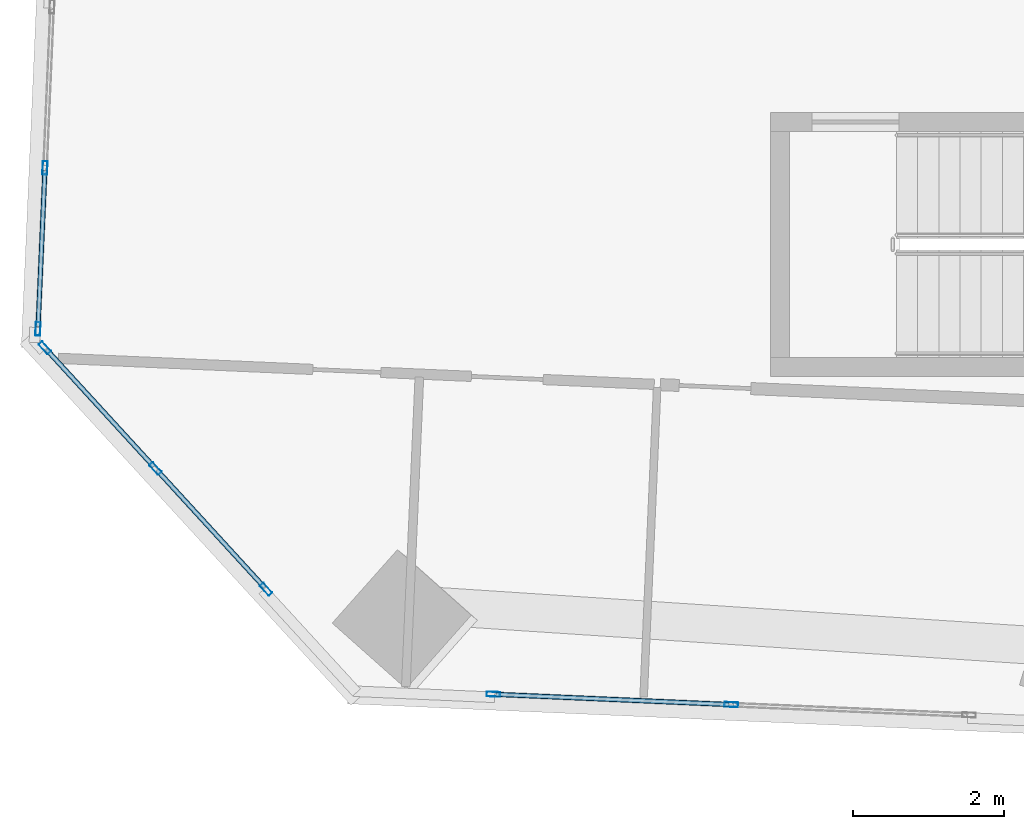
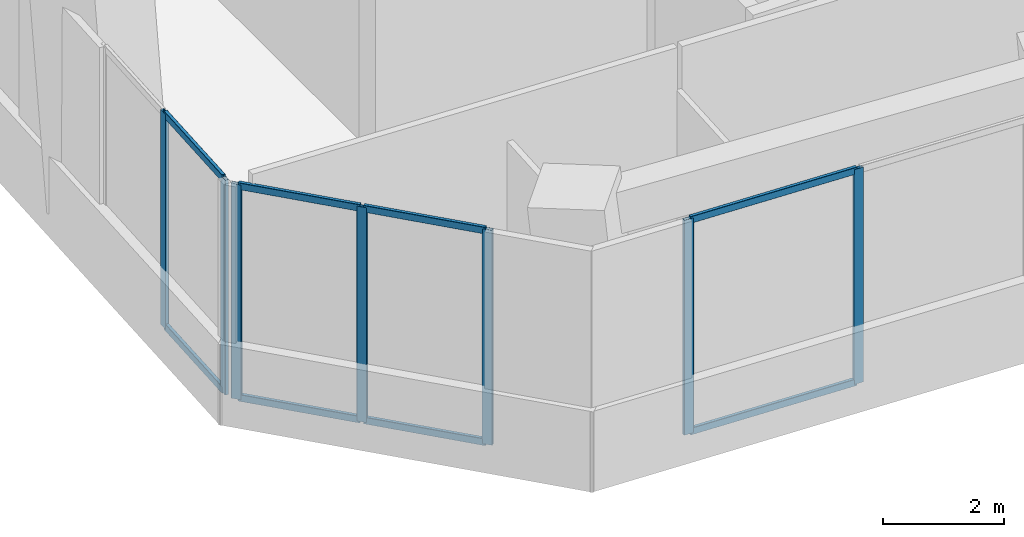
# One storey, part 2 of 27: 15 members, 3 elements without a shape of their own.
"""IFC4 building model written with IfcOpenShell, lengths in metres."""

import ifcopenshell
import ifcopenshell.guid

model = None  # the IFC model being written
_history = None  # IfcOwnerHistory: only IFC2X3 demands one
_inside = {}  # id of a spatial element -> (the spatial element, [elements in it])
_under = {}  # id of a project, library or spatial element -> (it, [spatial elements below it])
_declared = {}  # id of a project -> (the project, [libraries it declares])
_typed = {}  # id of a type object -> (the type object, [elements of that type])
_made_of = {}  # id of a material, layer set ... -> (it, [elements and type objects made of it])


def new_model(schema):
    """Start an empty IFC model of exactly this schema.

    Asked for "IFC4X3", IfcOpenShell would pick the latest addendum, in which some entities
    have other attributes; the version numbers below select the first issue.
    IFC2X3 requires an IfcOwnerHistory on every rooted entity: one is made here for all.
    """
    global model, _history
    if schema == "IFC4X3":
        model = ifcopenshell.file(schema_version=(4, 3, 0, 0))
    else:
        model = ifcopenshell.file(schema=schema)
    _inside.clear()
    _under.clear()
    _declared.clear()
    _typed.clear()
    _made_of.clear()
    _history = None
    if model.schema == "IFC2X3":
        org = make("IfcOrganization", Name="unknown")
        user = make(
            "IfcPersonAndOrganization",
            ThePerson=make("IfcPerson", FamilyName="unknown"),
            TheOrganization=org,
        )
        app = make(
            "IfcApplication",
            ApplicationDeveloper=org,
            Version="unknown",
            ApplicationFullName="unknown",
            ApplicationIdentifier="unknown",
        )
        _history = make(
            "IfcOwnerHistory",
            OwningUser=user,
            OwningApplication=app,
            ChangeAction="ADDED",
            CreationDate=0,
        )
    return model


def make(cls, **values):
    """One entity of the class cls with the attributes given. An attribute that is None is left unset."""
    return model.create_entity(
        cls, **{name: value for name, value in values.items() if value is not None}
    )


def rooted(cls, **values):
    """An entity with a GlobalId (a new one), such as an element, a storey or a relation."""
    return make(cls, GlobalId=ifcopenshell.guid.new(), OwnerHistory=_history, **values)


def si_unit(unit_type, name, prefix=None):
    """IfcSIUnit, for example si_unit("LENGTHUNIT", "METRE", prefix="MILLI")."""
    return make("IfcSIUnit", UnitType=unit_type, Prefix=prefix, Name=name)


def assignment(units):
    """IfcUnitAssignment: the units of a project."""
    return None if units is None else make("IfcUnitAssignment", Units=units)


def point(xyz):
    """IfcCartesianPoint."""
    return None if xyz is None else make("IfcCartesianPoint", Coordinates=xyz)


def direction(xyz):
    """IfcDirection."""
    return None if xyz is None else make("IfcDirection", DirectionRatios=xyz)


def frame(location, z_axis=None, x_axis=None):
    """IfcAxis2Placement3D, a coordinate frame: its origin and axes. An axis left out is left unset."""
    return make(
        "IfcAxis2Placement3D",
        Location=point(location),
        Axis=direction(z_axis),
        RefDirection=direction(x_axis),
    )


def frame_2d(location, x_axis=None):
    """IfcAxis2Placement2D, a coordinate frame in the plane: its origin and x axis."""
    return make(
        "IfcAxis2Placement2D", Location=point(location), RefDirection=direction(x_axis)
    )


def origin():
    """The frame at (0, 0, 0) with its axes left unset."""
    return frame((0.0, 0.0, 0.0))


def origin_2d():
    """The frame at (0, 0) in the plane with its x axis left unset."""
    return frame_2d((0.0, 0.0))


def place(relative_to, where):
    """IfcLocalPlacement: puts the frame where relative to a parent placement (None: the world)."""
    return make(
        "IfcLocalPlacement", PlacementRelTo=relative_to, RelativePlacement=where
    )


def context(
    kind, dimensions, precision=None, world=None, true_north=None, identifier=None
):
    """IfcGeometricRepresentationContext, for example the 3D "Model" context."""
    return make(
        "IfcGeometricRepresentationContext",
        ContextIdentifier=identifier,
        ContextType=kind,
        CoordinateSpaceDimension=dimensions,
        Precision=precision,
        WorldCoordinateSystem=world,
        TrueNorth=true_north,
    )


def subcontext(parent, identifier, kind, view, scale=None):
    """IfcGeometricRepresentationSubContext, for example "Body" below "Model"."""
    return make(
        "IfcGeometricRepresentationSubContext",
        ContextIdentifier=identifier,
        ContextType=kind,
        ParentContext=parent,
        TargetScale=scale,
        TargetView=view,
    )


def project(units=None, contexts=None):
    """IfcProject with its units and contexts."""
    return rooted(
        "IfcProject",
        Name="project",
        RepresentationContexts=contexts,
        UnitsInContext=assignment(units),
    )


def spatial(cls, under=None, at=None, **own):
    """A site, building, storey or space (cls), placed at a placement, below another one or the project."""
    s = rooted(cls, ObjectPlacement=at, **own)
    if under is not None:
        _under.setdefault(under.id(), (under, []))[1].append(s)
    return s


def profile(cls, at=None, kind="AREA", **sizes):
    """A parametric profile (cls). Its sizes go by their IFC names, for example OverallWidth=200.0."""
    return make(cls, ProfileType=kind, Position=at, **sizes)


def hollow_rectangle(**sizes):
    """IfcRectangleHollowProfileDef."""
    return profile("IfcRectangleHollowProfileDef", **sizes)


def extrude(swept, where, along, depth):
    """IfcExtrudedAreaSolid: the profile swept, set in the frame where, extruded along a direction by depth."""
    return make(
        "IfcExtrudedAreaSolid",
        SweptArea=swept,
        Position=where,
        ExtrudedDirection=direction(along),
        Depth=depth,
    )


def shape(context_of_items, identifier, shape_type, items):
    """IfcShapeRepresentation: the items that make up one representation, for example the "Body"."""
    return make(
        "IfcShapeRepresentation",
        ContextOfItems=context_of_items,
        RepresentationIdentifier=identifier,
        RepresentationType=shape_type,
        Items=items,
    )


def source(mapping_origin, context_of_items, identifier, shape_type, items):
    """IfcRepresentationMap: a shape defined once, which mapped items show again and again."""
    return make(
        "IfcRepresentationMap",
        MappingOrigin=mapping_origin,
        MappedRepresentation=shape(context_of_items, identifier, shape_type, items),
    )


def transform(
    local_origin,
    x_axis=None,
    y_axis=None,
    z_axis=None,
    scale=None,
    scale2=None,
    scale3=None,
    uniform=True,
):
    """IfcCartesianTransformationOperator3D, or its non-uniform kind. x_axis, y_axis, z_axis: its Axis1, 2, 3."""
    if uniform:
        return make(
            "IfcCartesianTransformationOperator3D",
            Axis1=direction(x_axis),
            Axis2=direction(y_axis),
            LocalOrigin=point(local_origin),
            Scale=scale,
            Axis3=direction(z_axis),
        )
    return make(
        "IfcCartesianTransformationOperator3DnonUniform",
        Axis1=direction(x_axis),
        Axis2=direction(y_axis),
        LocalOrigin=point(local_origin),
        Scale=scale,
        Axis3=direction(z_axis),
        Scale2=scale2,
        Scale3=scale3,
    )


def mapped(mapping_source, mapping_target):
    """IfcMappedItem: shows the shape of a source again, moved by a transform."""
    return make(
        "IfcMappedItem", MappingSource=mapping_source, MappingTarget=mapping_target
    )


def material(Name=None, Category=None):
    """IfcMaterial."""
    return make("IfcMaterial", Name=Name, Category=Category)


def material_profile(
    of_material, cross_section, Name=None, Category=None, Priority=None
):
    """IfcMaterialProfile: a cross section and its material."""
    return make(
        "IfcMaterialProfile",
        Name=Name,
        Material=of_material,
        Profile=cross_section,
        Priority=Priority,
        Category=Category,
    )


def profile_set(profiles, Name=None, composite=None):
    """IfcMaterialProfileSet."""
    return make(
        "IfcMaterialProfileSet",
        Name=Name,
        MaterialProfiles=profiles,
        CompositeProfile=composite,
    )


def made_of(thing, what):
    """Note that an element or type object is made of a material, layer set ...; save() writes the relation."""
    if what is not None:
        _made_of.setdefault(what.id(), (what, []))[1].append(thing)
    return thing


def type_object(cls, material=None, **own):
    """A type object (cls), such as IfcWallType, which elements share."""
    return made_of(rooted(cls, **own), material)


def element(
    cls,
    number,
    at=None,
    inside=None,
    cuts=None,
    type_object=None,
    material=None,
    context=None,
    identifier="Body",
    shape_type=None,
    held_by="IfcProductDefinitionShape",
    body=None,
    shapes=None,
    **own,
):
    """One element of the class cls, such as IfcWall. Its Tag is "e" and its number.

    at: its placement. inside: the storey or other place that contains it. cuts: it is an
    opening in that element (IfcRelVoidsElement). A single representation is given by context,
    identifier, shape_type and body (its items); several are given by shapes. held_by: the class
    of the entity that holds the representations. save() writes the other relations.
    """
    e = rooted(cls, Tag="e%d" % number, ObjectPlacement=at, **own)
    if body is not None:
        shapes = [shape(context, identifier, shape_type, body)]
    if shapes is not None:
        e.Representation = make(held_by, Representations=shapes)
    if inside is not None:
        _inside.setdefault(inside.id(), (inside, []))[1].append(e)
    if cuts is not None:
        rooted(
            "IfcRelVoidsElement", RelatingBuildingElement=cuts, RelatedOpeningElement=e
        )
    if type_object is not None:
        _typed.setdefault(type_object.id(), (type_object, []))[1].append(e)
    return made_of(e, material)


def aggregate(whole, parts):
    """IfcRelAggregates: a whole, such as a stair, and the parts it consists of."""
    return rooted("IfcRelAggregates", RelatingObject=whole, RelatedObjects=parts)


def save(model, path):
    """Write the relations noted so far, then the file.

    IfcRelAggregates (storeys below a building ...), IfcRelContainedInSpatialStructure (elements
    in a storey), IfcRelDefinesByType, IfcRelAssociatesMaterial and IfcRelDeclares: one each for
    every whole, place, type object, material and project.
    """
    for whole, parts in _under.values():
        aggregate(whole, parts)
    for where, things in _inside.values():
        rooted(
            "IfcRelContainedInSpatialStructure",
            RelatedElements=things,
            RelatingStructure=where,
        )
    for kind, things in _typed.values():
        rooted("IfcRelDefinesByType", RelatedObjects=things, RelatingType=kind)
    for what, things in _made_of.values():
        rooted("IfcRelAssociatesMaterial", RelatedObjects=things, RelatingMaterial=what)
    for by, libraries in _declared.values():
        rooted("IfcRelDeclares", RelatingContext=by, RelatedDefinitions=libraries)
    model.write(path)


model = new_model("IFC4")

# Units and contexts
model_context = context("Model", 3, precision=1e-05, world=origin(), true_north=direction((0.0, 1.0)))
body_context = subcontext(model_context, "Body", "Model", "MODEL_VIEW")
ifc_project = project(units=[si_unit("LENGTHUNIT", "METRE"), si_unit("AREAUNIT", "SQUARE_METRE"), si_unit("VOLUMEUNIT", "CUBIC_METRE"), si_unit("PLANEANGLEUNIT", "RADIAN"), si_unit("MASSUNIT", "GRAM", prefix="KILO")], contexts=[model_context])

# Site, building, storey
site_placement = place(None, origin())
site = spatial("IfcSite", under=ifc_project, at=site_placement, CompositionType="ELEMENT")
building_placement = place(site_placement, origin())
building = spatial("IfcBuilding", under=site, at=building_placement, Name="Torre Montelarca", CompositionType="ELEMENT")
storey_placement = place(building_placement, frame((0.0, 0.0, 37.60009765625)))
storey = spatial("IfcBuildingStorey", under=building, at=storey_placement, Name="L08", CompositionType="ELEMENT", Elevation=37.60009765625)

# Curtain wall, members
ifc_material_1 = material(Name="Insulated low-E laminated glass", Category="glass")
curtain_wall_type = type_object("IfcCurtainWallType", Name="CW-SYS-Z1", PredefinedType="USERDEFINED", material=ifc_material_1)
curtain_wall_1_placement = place(storey_placement, origin())
curtain_wall_1 = element("IfcCurtainWall", 1, at=curtain_wall_1_placement, inside=storey, type_object=curtain_wall_type, Name="L08 Curtain Wall Run CW-T3-L08-E10-B3", ObjectType="UNITISED GLAZING", PredefinedType="USERDEFINED")
ifc_material_2 = material(Name="Anodised aluminium AA 6063-T6", Category="aluminium")
ifc_material_profile_1 = material_profile(ifc_material_2, hollow_rectangle(XDim=0.06494140625, YDim=0.139892578125, WallThickness=0.00390625, InnerFilletRadius=0.00390625, OuterFilletRadius=0.008056640625, at=origin_2d()), Name="ALU65X140X4", Category="aluminium")
ifc_profile_set_1 = profile_set([ifc_material_profile_1], Name="Anodised aluminium AA 6063-T6")
member_type_1 = type_object("IfcMemberType", Name="CWT-ALU140", PredefinedType="USERDEFINED", material=ifc_profile_set_1)
shared_shape_1 = source(origin(), body_context, "Body", "SweptSolid", [
    extrude(hollow_rectangle(XDim=0.06494140625, YDim=0.139892578125, WallThickness=0.00390625, InnerFilletRadius=0.00390625, OuterFilletRadius=0.008056640625, at=origin_2d()), origin(), (0.0, 0.0, 1.0), 2.067138671875),
])
member_1_placement = place(storey_placement, frame((3.449462890625, 21.375244140625, 0.032470703125), z_axis=(-0.043698612245, -0.999044759402, 0.0), x_axis=(0.999044759402, -0.043698612245, 0.0)))
member_1 = element("IfcMember", 2, at=member_1_placement, type_object=member_type_1, Name="CW transom 2.1", ObjectType="TRANSOM", PredefinedType="USERDEFINED", context=body_context, shape_type="MappedRepresentation", body=[
    mapped(shared_shape_1, transform((0.0, 0.0, 0.0), scale=1.0)),
])
member_2_placement = place(storey_placement, frame((3.449462890625, 21.375244140625, 4.287353515625), z_axis=(-0.043698612245, -0.999044759402, 0.0), x_axis=(0.999044759402, -0.043698612245, 0.0)))
member_2 = element("IfcMember", 3, at=member_2_placement, type_object=member_type_1, Name="CW transom 2.2", ObjectType="TRANSOM", PredefinedType="USERDEFINED", context=body_context, shape_type="MappedRepresentation", body=[
    mapped(shared_shape_1, transform((0.0, 0.0, 0.0), scale=1.0)),
])

curtain_wall_2_placement = place(storey_placement, origin())
curtain_wall_2 = element("IfcCurtainWall", 4, at=curtain_wall_2_placement, inside=storey, type_object=curtain_wall_type, Name="L08 Curtain Wall Run CW-T3-L08-E01-B1", ObjectType="UNITISED GLAZING", PredefinedType="USERDEFINED")
ifc_material_profile_2 = material_profile(ifc_material_2, hollow_rectangle(XDim=0.06494140625, YDim=0.179931640625, WallThickness=0.00390625, InnerFilletRadius=0.00390625, OuterFilletRadius=0.008056640625, at=origin_2d()), Name="ALU65X180X4", Category="aluminium")
ifc_profile_set_2 = profile_set([ifc_material_profile_2], Name="Anodised aluminium AA 6063-T6")
member_type_2 = type_object("IfcMemberType", Name="CWM-ALU180", PredefinedType="MULLION", material=ifc_profile_set_2)
shared_shape_2 = source(origin(), body_context, "Body", "SweptSolid", [
    extrude(hollow_rectangle(XDim=0.06494140625, YDim=0.179931640625, WallThickness=0.00390625, InnerFilletRadius=0.00390625, OuterFilletRadius=0.008056640625, at=origin_2d()), origin(), (0.0, 0.0, 1.0), 4.31982421875),
])
member_3_placement = place(storey_placement, frame((9.385009765625, 14.44189453125, 0.0), z_axis=(0.0, 0.0, 1.0), x_axis=(0.043624697584, 0.999047989719, 0.0)))
member_3 = element("IfcMember", 5, at=member_3_placement, type_object=member_type_2, Name="CW mullion 1", PredefinedType="MULLION", context=body_context, shape_type="MappedRepresentation", body=[
    mapped(shared_shape_2, transform((0.0, 0.0, 0.0), scale=1.0)),
])
member_4_placement = place(storey_placement, frame((12.532470703125, 14.304443359375, 0.0), z_axis=(0.0, 0.0, 1.0), x_axis=(0.043624697584, 0.999047989719, 0.0)))
member_4 = element("IfcMember", 6, at=member_4_placement, type_object=member_type_2, Name="CW mullion 2", PredefinedType="MULLION", context=body_context, shape_type="MappedRepresentation", body=[
    mapped(shared_shape_2, transform((0.0, 0.0, 0.0), scale=1.0)),
])

# Member
member_5_placement = place(storey_placement, frame((3.45068359375, 21.40771484375, 0.0), z_axis=(0.0, 0.0, 1.0), x_axis=(0.999048603489, -0.043610639363, 0.0)))
member_5 = element("IfcMember", 7, at=member_5_placement, type_object=member_type_2, Name="CW mullion 2", PredefinedType="MULLION", context=body_context, shape_type="MappedRepresentation", body=[
    mapped(shared_shape_2, transform((0.0, 0.0, 0.0), scale=1.0)),
])

member_6_placement = place(storey_placement, frame((3.35791015625, 19.277587890625, 0.0), z_axis=(0.0, 0.0, 1.0), x_axis=(0.999048603489, -0.043610639363, 0.0)))
member_6 = element("IfcMember", 8, at=member_6_placement, type_object=member_type_2, Name="CW mullion 3", PredefinedType="MULLION", context=body_context, shape_type="MappedRepresentation", body=[
    mapped(shared_shape_2, transform((0.0, 0.0, 0.0), scale=1.0)),
])

aggregate(curtain_wall_1, [member_5, member_6, member_1, member_2])

# Curtain wall, members
curtain_wall_3_placement = place(storey_placement, origin())
curtain_wall_3 = element("IfcCurtainWall", 9, at=curtain_wall_3_placement, inside=storey, type_object=curtain_wall_type, Name="L08 Curtain Wall Run CW-T3-L08-E11-B1", ObjectType="UNITISED GLAZING", PredefinedType="USERDEFINED")
member_7_placement = place(storey_placement, frame((3.44921875, 19.02685546875, 0.0), z_axis=(0.0, 0.0, 1.0), x_axis=(0.737294785527, 0.675571165189, 0.0)))
member_7 = element("IfcMember", 10, at=member_7_placement, type_object=member_type_2, Name="CW mullion 1", PredefinedType="MULLION", context=body_context, shape_type="MappedRepresentation", body=[
    mapped(shared_shape_2, transform((0.0, 0.0, 0.0), scale=1.0)),
])
member_8_placement = place(storey_placement, frame((4.912353515625, 17.4296875, 0.0), z_axis=(0.0, 0.0, 1.0), x_axis=(0.737294785527, 0.675571165189, 0.0)))
member_8 = element("IfcMember", 11, at=member_8_placement, type_object=member_type_2, Name="CW mullion 2", PredefinedType="MULLION", context=body_context, shape_type="MappedRepresentation", body=[
    mapped(shared_shape_2, transform((0.0, 0.0, 0.0), scale=1.0)),
])
member_9_placement = place(storey_placement, frame((6.375732421875, 15.832763671875, 0.0), z_axis=(0.0, 0.0, 1.0), x_axis=(0.737294785527, 0.675571165189, 0.0)))
member_9 = element("IfcMember", 12, at=member_9_placement, type_object=member_type_2, Name="CW mullion 3", PredefinedType="MULLION", context=body_context, shape_type="MappedRepresentation", body=[
    mapped(shared_shape_2, transform((0.0, 0.0, 0.0), scale=1.0)),
])

# Member
shared_shape_3 = source(origin(), body_context, "Body", "SweptSolid", [
    extrude(hollow_rectangle(XDim=0.06494140625, YDim=0.139892578125, WallThickness=0.00390625, InnerFilletRadius=0.00390625, OuterFilletRadius=0.008056640625, at=origin_2d()), origin(), (0.0, 0.0, 1.0), 3.08544921875),
])
member_10_placement = place(storey_placement, frame((9.41748046875, 14.4404296875, 0.032470703125), z_axis=(0.999045678828, -0.043677587099, 0.0), x_axis=(0.043677587099, 0.999045678828, 0.0)))
member_10 = element("IfcMember", 13, at=member_10_placement, type_object=member_type_1, Name="CW transom 1.1", ObjectType="TRANSOM", PredefinedType="USERDEFINED", context=body_context, shape_type="MappedRepresentation", body=[
    mapped(shared_shape_3, transform((0.0, 0.0, 0.0), scale=1.0)),
])

member_11_placement = place(storey_placement, frame((9.41748046875, 14.4404296875, 4.287353515625), z_axis=(0.999045678828, -0.043677587099, 0.0), x_axis=(0.043677587099, 0.999045678828, 0.0)))
member_11 = element("IfcMember", 14, at=member_11_placement, type_object=member_type_1, Name="CW transom 1.2", ObjectType="TRANSOM", PredefinedType="USERDEFINED", context=body_context, shape_type="MappedRepresentation", body=[
    mapped(shared_shape_3, transform((0.0, 0.0, 0.0), scale=1.0)),
])

aggregate(curtain_wall_2, [member_3, member_4, member_10, member_11])

shared_shape_4 = source(origin(), body_context, "Body", "SweptSolid", [
    extrude(hollow_rectangle(XDim=0.06494140625, YDim=0.139892578125, WallThickness=0.00390625, InnerFilletRadius=0.00390625, OuterFilletRadius=0.008056640625, at=origin_2d()), origin(), (0.0, 0.0, 1.0), 2.100830078125),
])
member_12_placement = place(storey_placement, frame((3.47119140625, 19.002685546875, 0.032470703125), z_axis=(0.675519373927, -0.737342237668, 0.0), x_axis=(0.737342237668, 0.675519373927, 0.0)))
member_12 = element("IfcMember", 15, at=member_12_placement, type_object=member_type_1, Name="CW transom 1.1", ObjectType="TRANSOM", PredefinedType="USERDEFINED", context=body_context, shape_type="MappedRepresentation", body=[
    mapped(shared_shape_4, transform((0.0, 0.0, 0.0), scale=1.0)),
])

member_13_placement = place(storey_placement, frame((3.47119140625, 19.002685546875, 4.287353515625), z_axis=(0.675519373927, -0.737342237668, 0.0), x_axis=(0.737342237668, 0.675519373927, 0.0)))
member_13 = element("IfcMember", 16, at=member_13_placement, type_object=member_type_1, Name="CW transom 1.2", ObjectType="TRANSOM", PredefinedType="USERDEFINED", context=body_context, shape_type="MappedRepresentation", body=[
    mapped(shared_shape_4, transform((0.0, 0.0, 0.0), scale=1.0)),
])

shared_shape_5 = source(origin(), body_context, "Body", "SweptSolid", [
    extrude(hollow_rectangle(XDim=0.06494140625, YDim=0.139892578125, WallThickness=0.00390625, InnerFilletRadius=0.00390625, OuterFilletRadius=0.008056640625, at=origin_2d()), origin(), (0.0, 0.0, 1.0), 2.10107421875),
])
member_14_placement = place(storey_placement, frame((4.934326171875, 17.40576171875, 0.032470703125), z_axis=(0.675582545919, -0.737284357388, 0.0), x_axis=(0.737284357388, 0.675582545919, 0.0)))
member_14 = element("IfcMember", 17, at=member_14_placement, type_object=member_type_1, Name="CW transom 2.1", ObjectType="TRANSOM", PredefinedType="USERDEFINED", context=body_context, shape_type="MappedRepresentation", body=[
    mapped(shared_shape_5, transform((0.0, 0.0, 0.0), scale=1.0)),
])

member_15_placement = place(storey_placement, frame((4.934326171875, 17.40576171875, 4.287353515625), z_axis=(0.675582545919, -0.737284357388, 0.0), x_axis=(0.737284357388, 0.675582545919, 0.0)))
member_15 = element("IfcMember", 18, at=member_15_placement, type_object=member_type_1, Name="CW transom 2.2", ObjectType="TRANSOM", PredefinedType="USERDEFINED", context=body_context, shape_type="MappedRepresentation", body=[
    mapped(shared_shape_5, transform((0.0, 0.0, 0.0), scale=1.0)),
])

aggregate(curtain_wall_3, [member_7, member_8, member_9, member_12, member_13, member_14, member_15])

save(model, "model.ifc")
